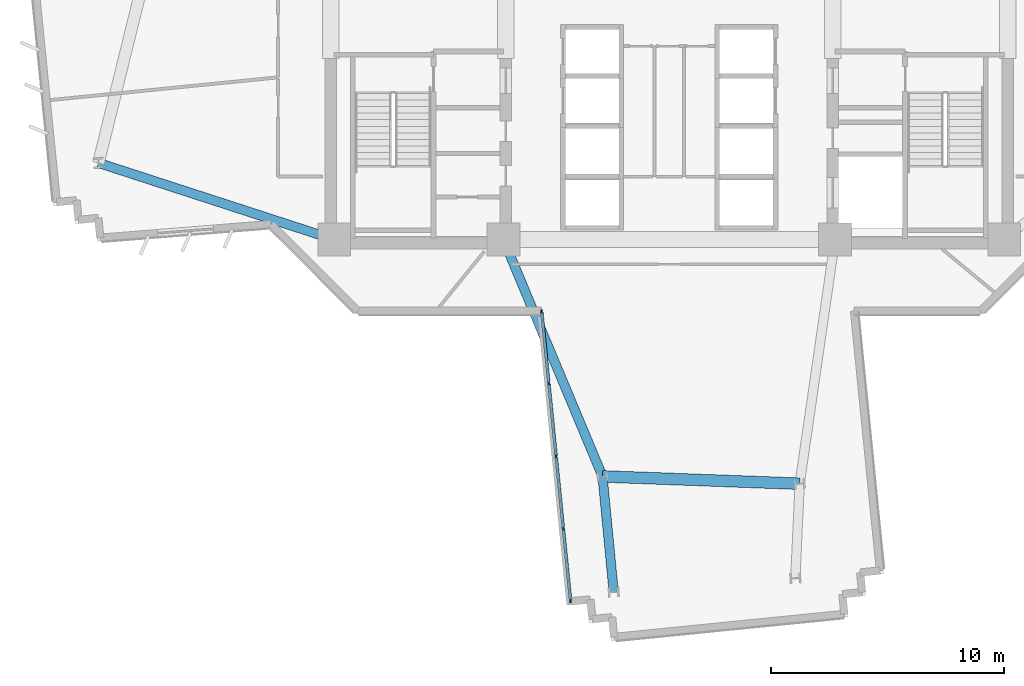
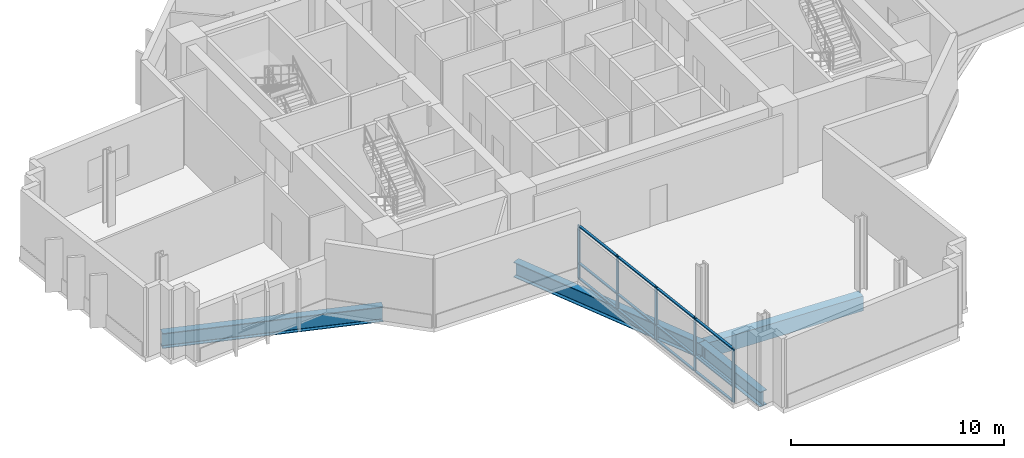
# One storey, part 2 of 14: 17 members, 4 beams, 1 element without a shape of its own.
"""IFC4 building model written with IfcOpenShell, lengths in metres."""

from ifc_helpers import new_model, si_unit, direction, frame, origin, origin_2d, place, context, subcontext, project, spatial, rectangle, i_section, extrude, source, transform, mapped, material, layer, layer_set, material_profile, profile_set, type_object, element, aggregate, save


model = new_model("IFC4")

# Units and contexts
model_context = context("Model", 3, precision=1e-05, world=origin(), true_north=direction((0.0, 1.0)))
body_context = subcontext(model_context, "Body", "Model", "MODEL_VIEW")
ifc_project = project(units=[si_unit("LENGTHUNIT", "METRE"), si_unit("AREAUNIT", "SQUARE_METRE"), si_unit("VOLUMEUNIT", "CUBIC_METRE"), si_unit("PLANEANGLEUNIT", "RADIAN"), si_unit("MASSUNIT", "GRAM", prefix="KILO")], contexts=[model_context])

# Site, building, storey
site_placement = place(None, origin())
site = spatial("IfcSite", under=ifc_project, at=site_placement, CompositionType="ELEMENT")
building_placement = place(site_placement, origin())
building = spatial("IfcBuilding", under=site, at=building_placement, Name="Zahravan Cultural Tower", CompositionType="ELEMENT")
storey_placement = place(building_placement, frame((0.0, 0.0, 100.5)))
storey = spatial("IfcBuildingStorey", under=building, at=storey_placement, Name="L22", CompositionType="ELEMENT", Elevation=100.5)

# Beams
ifc_material_1 = material(Name="Concrete C50/60", Category="concrete")
ifc_material_profile_1 = material_profile(ifc_material_1, rectangle(XDim=0.5, YDim=0.85009765625, at=origin_2d()), Name="RC500X850")
ifc_profile_set_1 = profile_set([ifc_material_profile_1], Name="Concrete C50/60")
beam_type_1 = type_object("IfcBeamType", Name="BM-SP-RC500X850", PredefinedType="SPANDREL", material=ifc_profile_set_1)
shared_shape_1 = source(origin(), body_context, "Body", "SweptSolid", [
    extrude(rectangle(XDim=0.5, YDim=0.85009765625, at=origin_2d()), origin(), (0.0, 0.0, 1.0), 8.4482421875),
])
beam_1_placement = place(storey_placement, frame((33.142578125, 7.653564453125, -0.675048828125), z_axis=(0.999318826256, -0.036903705643, 0.0), x_axis=(0.036903705643, 0.999318826256, 0.0)))
element("IfcBeam", 1, at=beam_1_placement, inside=storey, type_object=beam_type_1, Name="L22 Beam SP-L22-19", PredefinedType="SPANDREL", context=body_context, shape_type="MappedRepresentation", body=[
    mapped(shared_shape_1, transform((0.0, 0.0, 0.0), x_axis=(1.0, 0.0, 0.0), y_axis=(0.0, 1.0, 0.0), z_axis=(0.0, 0.0, 1.0), scale=1.0)),
])
ifc_material_2 = material(Name="Steel ASTM A992 Grade 50", Category="steel")
ifc_material_profile_2 = material_profile(ifc_material_2, i_section(OverallWidth=0.39990234375, OverallDepth=0.862060546875, WebThickness=0.019775390625, FlangeThickness=0.032470703125, FilletRadius=0.02001953125, at=origin_2d()), Name="W33X221")
ifc_profile_set_2 = profile_set([ifc_material_profile_2], Name="Steel ASTM A992 Grade 50")
beam_type_2 = type_object("IfcBeamType", Name="BM-G-W33X221", PredefinedType="BEAM", material=ifc_profile_set_2)
shared_shape_2 = source(origin(), body_context, "Body", "SweptSolid", [
    extrude(i_section(OverallWidth=0.39990234375, OverallDepth=0.862060546875, WebThickness=0.019775390625, FlangeThickness=0.032470703125, FilletRadius=0.02001953125, at=origin_2d()), origin(), (0.0, 0.0, 1.0), 10.615966796875),
])
beam_2_placement = place(storey_placement, frame((21.64990234375, 17.800048828125, -0.680908203125), z_axis=(-0.951063640083, 0.30899506875, 0.0), x_axis=(-0.30899506875, -0.951063640083, 0.0)))
element("IfcBeam", 2, at=beam_2_placement, inside=storey, type_object=beam_type_2, Name="L22 Beam BG-L22-07", PredefinedType="BEAM", context=body_context, shape_type="MappedRepresentation", body=[
    mapped(shared_shape_2, transform((0.0, 0.0, 0.0), x_axis=(1.0, 0.0, 0.0), y_axis=(0.0, 1.0, 0.0), z_axis=(0.0, 0.0, 1.0), scale=1.0)),
])
shared_shape_3 = source(origin(), body_context, "Body", "SweptSolid", [
    extrude(i_section(OverallWidth=0.39990234375, OverallDepth=0.862060546875, WebThickness=0.019775390625, FlangeThickness=0.032470703125, FilletRadius=0.02001953125, at=origin_2d()), origin(), (0.0, 0.0, 1.0), 10.997802734375),
])
beam_3_placement = place(storey_placement, frame((28.89990234375, 17.800048828125, -0.680908203125), z_axis=(0.385775211449, -0.922592806297, 0.0), x_axis=(0.922592806297, 0.385775211449, 0.0)))
element("IfcBeam", 3, at=beam_3_placement, inside=storey, type_object=beam_type_2, Name="L22 Beam BG-L22-08", PredefinedType="BEAM", context=body_context, shape_type="MappedRepresentation", body=[
    mapped(shared_shape_3, transform((0.0, 0.0, 0.0), x_axis=(1.0, 0.0, 0.0), y_axis=(0.0, 1.0, 0.0), z_axis=(0.0, 0.0, 1.0), scale=1.0)),
])
shared_shape_4 = source(origin(), body_context, "Body", "SweptSolid", [
    extrude(i_section(OverallWidth=0.39990234375, OverallDepth=0.862060546875, WebThickness=0.019775390625, FlangeThickness=0.032470703125, FilletRadius=0.02001953125, at=origin_2d()), origin(), (0.0, 0.0, 1.0), 4.973876953125),
])
beam_4_placement = place(storey_placement, frame((33.142578125, 7.653564453125, -0.680908203125), z_axis=(0.096154779131, -0.995366394073, 0.0), x_axis=(0.995366394073, 0.096154779131, 0.0)))
element("IfcBeam", 4, at=beam_4_placement, inside=storey, type_object=beam_type_2, Name="L22 Beam BG-L22-17", PredefinedType="BEAM", context=body_context, shape_type="MappedRepresentation", body=[
    mapped(shared_shape_4, transform((0.0, 0.0, 0.0), x_axis=(1.0, 0.0, 0.0), y_axis=(0.0, 1.0, 0.0), z_axis=(0.0, 0.0, 1.0), scale=1.0)),
])

# Curtain wall, members
ifc_material_3 = material(Name="Anodised bronze-aluminium mullion", Category="aluminium")
ifc_layer = layer(ifc_material_3, 0.1650390625)
ifc_layer_set = layer_set([ifc_layer], Name="Anodised bronze-aluminium mullion")
curtain_wall_type = type_object("IfcCurtainWallType", Name="CW-SYS-4", PredefinedType="USERDEFINED", material=ifc_layer_set)
curtain_wall_placement = place(storey_placement, origin())
curtain_wall = element("IfcCurtainWall", 5, at=curtain_wall_placement, inside=storey, type_object=curtain_wall_type, Name="L22 Recessed Curtain Wall CW-4.2", ObjectType="RECESSED GLAZING", PredefinedType="USERDEFINED")
ifc_material_profile_3 = material_profile(ifc_material_3, rectangle(XDim=0.06494140625, YDim=0.1650390625, at=origin_2d()), Name="AL-M65X165")
ifc_profile_set_3 = profile_set([ifc_material_profile_3], Name="Anodised bronze-aluminium mullion")
member_type_1 = type_object("IfcMemberType", Name="CWM-CW-4", PredefinedType="MULLION", material=ifc_profile_set_3)
shared_shape_5 = source(origin(), body_context, "Body", "SweptSolid", [
    extrude(rectangle(XDim=0.06494140625, YDim=0.1650390625, at=origin_2d()), origin(), (0.0, 0.0, 1.0), 3.070068359375),
])
member_1_placement = place(storey_placement, frame((31.769287109375, 2.330322265625, 0.0), z_axis=(0.0, 0.0, 1.0), x_axis=(-0.99505538579, -0.099321594883, 0.0)))
member_1 = element("IfcMember", 6, at=member_1_placement, type_object=member_type_1, Name="CW-4 mullion 1", PredefinedType="MULLION", context=body_context, shape_type="MappedRepresentation", body=[
    mapped(shared_shape_5, transform((0.0, 0.0, 0.0), x_axis=(1.0, 0.0, 0.0), y_axis=(0.0, 1.0, 0.0), z_axis=(0.0, 0.0, 1.0), scale=1.0)),
])
member_2_placement = place(storey_placement, frame((31.4619140625, 5.408447265625, 0.0), z_axis=(0.0, 0.0, 1.0), x_axis=(-0.99505538579, -0.099321594883, 0.0)))
member_2 = element("IfcMember", 7, at=member_2_placement, type_object=member_type_1, Name="CW-4 mullion 2", PredefinedType="MULLION", context=body_context, shape_type="MappedRepresentation", body=[
    mapped(shared_shape_5, transform((0.0, 0.0, 0.0), x_axis=(1.0, 0.0, 0.0), y_axis=(0.0, 1.0, 0.0), z_axis=(0.0, 0.0, 1.0), scale=1.0)),
])
member_3_placement = place(storey_placement, frame((31.151611328125, 8.51904296875, 0.0), z_axis=(0.0, 0.0, 1.0), x_axis=(-0.99505538579, -0.099321594883, 0.0)))
member_3 = element("IfcMember", 8, at=member_3_placement, type_object=member_type_1, Name="CW-4 mullion 3", PredefinedType="MULLION", context=body_context, shape_type="MappedRepresentation", body=[
    mapped(shared_shape_5, transform((0.0, 0.0, 0.0), x_axis=(1.0, 0.0, 0.0), y_axis=(0.0, 1.0, 0.0), z_axis=(0.0, 0.0, 1.0), scale=1.0)),
])
member_4_placement = place(storey_placement, frame((30.841064453125, 11.62939453125, 0.0), z_axis=(0.0, 0.0, 1.0), x_axis=(-0.99505538579, -0.099321594883, 0.0)))
member_4 = element("IfcMember", 9, at=member_4_placement, type_object=member_type_1, Name="CW-4 mullion 4", PredefinedType="MULLION", context=body_context, shape_type="MappedRepresentation", body=[
    mapped(shared_shape_5, transform((0.0, 0.0, 0.0), x_axis=(1.0, 0.0, 0.0), y_axis=(0.0, 1.0, 0.0), z_axis=(0.0, 0.0, 1.0), scale=1.0)),
])
member_5_placement = place(storey_placement, frame((30.533935546875, 14.707763671875, 0.0), z_axis=(0.0, 0.0, 1.0), x_axis=(-0.99505538579, -0.099321594883, 0.0)))
member_5 = element("IfcMember", 10, at=member_5_placement, type_object=member_type_1, Name="CW-4 mullion 5", PredefinedType="MULLION", context=body_context, shape_type="MappedRepresentation", body=[
    mapped(shared_shape_5, transform((0.0, 0.0, 0.0), x_axis=(1.0, 0.0, 0.0), y_axis=(0.0, 1.0, 0.0), z_axis=(0.0, 0.0, 1.0), scale=1.0)),
])
ifc_material_profile_4 = material_profile(ifc_material_3, rectangle(XDim=0.1298828125, YDim=0.06494140625, at=origin_2d()), Name="AL-T65X130")
ifc_profile_set_4 = profile_set([ifc_material_profile_4], Name="Anodised bronze-aluminium mullion")
member_type_2 = type_object("IfcMemberType", Name="CWT-CW-4", PredefinedType="USERDEFINED", material=ifc_profile_set_4)
shared_shape_6 = source(origin(), body_context, "Body", "SweptSolid", [
    extrude(rectangle(XDim=0.1298828125, YDim=0.06494140625, at=origin_2d()), origin(), (0.0, 0.0, 1.0), 3.0283203125),
])
member_6_placement = place(storey_placement, frame((31.76611328125, 2.36279296875, 0.032470703125), z_axis=(-0.099320134078, 0.995055531599, 0.0), x_axis=(-0.995055531599, -0.099320134078, 0.0)))
member_6 = element("IfcMember", 11, at=member_6_placement, type_object=member_type_2, Name="CW-4 transom 1.1", ObjectType="TRANSOM", PredefinedType="USERDEFINED", context=body_context, shape_type="MappedRepresentation", body=[
    mapped(shared_shape_6, transform((0.0, 0.0, 0.0), x_axis=(1.0, 0.0, 0.0), y_axis=(0.0, 1.0, 0.0), z_axis=(0.0, 0.0, 1.0), scale=1.0)),
])
member_7_placement = place(storey_placement, frame((31.76611328125, 2.36279296875, 0.89990234375), z_axis=(-0.099320134078, 0.995055531599, 0.0), x_axis=(-0.995055531599, -0.099320134078, 0.0)))
member_7 = element("IfcMember", 12, at=member_7_placement, type_object=member_type_2, Name="CW-4 transom 1.2", ObjectType="TRANSOM", PredefinedType="USERDEFINED", context=body_context, shape_type="MappedRepresentation", body=[
    mapped(shared_shape_6, transform((0.0, 0.0, 0.0), x_axis=(1.0, 0.0, 0.0), y_axis=(0.0, 1.0, 0.0), z_axis=(0.0, 0.0, 1.0), scale=1.0)),
])
member_8_placement = place(storey_placement, frame((31.76611328125, 2.36279296875, 3.03759765625), z_axis=(-0.099320134078, 0.995055531599, 0.0), x_axis=(-0.995055531599, -0.099320134078, 0.0)))
member_8 = element("IfcMember", 13, at=member_8_placement, type_object=member_type_2, Name="CW-4 transom 1.3", ObjectType="TRANSOM", PredefinedType="USERDEFINED", context=body_context, shape_type="MappedRepresentation", body=[
    mapped(shared_shape_6, transform((0.0, 0.0, 0.0), x_axis=(1.0, 0.0, 0.0), y_axis=(0.0, 1.0, 0.0), z_axis=(0.0, 0.0, 1.0), scale=1.0)),
])
member_9_placement = place(storey_placement, frame((30.837890625, 11.661865234375, 0.032470703125), z_axis=(-0.099320134078, 0.995055531599, 0.0), x_axis=(-0.995055531599, -0.099320134078, 0.0)))
member_9 = element("IfcMember", 14, at=member_9_placement, type_object=member_type_2, Name="CW-4 transom 4.1", ObjectType="TRANSOM", PredefinedType="USERDEFINED", context=body_context, shape_type="MappedRepresentation", body=[
    mapped(shared_shape_6, transform((0.0, 0.0, 0.0), x_axis=(1.0, 0.0, 0.0), y_axis=(0.0, 1.0, 0.0), z_axis=(0.0, 0.0, 1.0), scale=1.0)),
])
member_10_placement = place(storey_placement, frame((30.837890625, 11.661865234375, 0.89990234375), z_axis=(-0.099320134078, 0.995055531599, 0.0), x_axis=(-0.995055531599, -0.099320134078, 0.0)))
member_10 = element("IfcMember", 15, at=member_10_placement, type_object=member_type_2, Name="CW-4 transom 4.2", ObjectType="TRANSOM", PredefinedType="USERDEFINED", context=body_context, shape_type="MappedRepresentation", body=[
    mapped(shared_shape_6, transform((0.0, 0.0, 0.0), x_axis=(1.0, 0.0, 0.0), y_axis=(0.0, 1.0, 0.0), z_axis=(0.0, 0.0, 1.0), scale=1.0)),
])
member_11_placement = place(storey_placement, frame((30.837890625, 11.661865234375, 3.03759765625), z_axis=(-0.099320134078, 0.995055531599, 0.0), x_axis=(-0.995055531599, -0.099320134078, 0.0)))
member_11 = element("IfcMember", 16, at=member_11_placement, type_object=member_type_2, Name="CW-4 transom 4.3", ObjectType="TRANSOM", PredefinedType="USERDEFINED", context=body_context, shape_type="MappedRepresentation", body=[
    mapped(shared_shape_6, transform((0.0, 0.0, 0.0), x_axis=(1.0, 0.0, 0.0), y_axis=(0.0, 1.0, 0.0), z_axis=(0.0, 0.0, 1.0), scale=1.0)),
])
shared_shape_7 = source(origin(), body_context, "Body", "SweptSolid", [
    extrude(rectangle(XDim=0.1298828125, YDim=0.06494140625, at=origin_2d()), origin(), (0.0, 0.0, 1.0), 3.060791015625),
])
member_12_placement = place(storey_placement, frame((31.458740234375, 5.44091796875, 0.032470703125), z_axis=(-0.099306281217, 0.995056914207, 0.0), x_axis=(-0.995056914207, -0.099306281217, 0.0)))
member_12 = element("IfcMember", 17, at=member_12_placement, type_object=member_type_2, Name="CW-4 transom 2.1", ObjectType="TRANSOM", PredefinedType="USERDEFINED", context=body_context, shape_type="MappedRepresentation", body=[
    mapped(shared_shape_7, transform((0.0, 0.0, 0.0), x_axis=(1.0, 0.0, 0.0), y_axis=(0.0, 1.0, 0.0), z_axis=(0.0, 0.0, 1.0), scale=1.0)),
])
member_13_placement = place(storey_placement, frame((31.458740234375, 5.44091796875, 0.89990234375), z_axis=(-0.099306281217, 0.995056914207, 0.0), x_axis=(-0.995056914207, -0.099306281217, 0.0)))
member_13 = element("IfcMember", 18, at=member_13_placement, type_object=member_type_2, Name="CW-4 transom 2.2", ObjectType="TRANSOM", PredefinedType="USERDEFINED", context=body_context, shape_type="MappedRepresentation", body=[
    mapped(shared_shape_7, transform((0.0, 0.0, 0.0), x_axis=(1.0, 0.0, 0.0), y_axis=(0.0, 1.0, 0.0), z_axis=(0.0, 0.0, 1.0), scale=1.0)),
])
member_14_placement = place(storey_placement, frame((31.458740234375, 5.44091796875, 3.03759765625), z_axis=(-0.099306281217, 0.995056914207, 0.0), x_axis=(-0.995056914207, -0.099306281217, 0.0)))
member_14 = element("IfcMember", 19, at=member_14_placement, type_object=member_type_2, Name="CW-4 transom 2.3", ObjectType="TRANSOM", PredefinedType="USERDEFINED", context=body_context, shape_type="MappedRepresentation", body=[
    mapped(shared_shape_7, transform((0.0, 0.0, 0.0), x_axis=(1.0, 0.0, 0.0), y_axis=(0.0, 1.0, 0.0), z_axis=(0.0, 0.0, 1.0), scale=1.0)),
])
shared_shape_8 = source(origin(), body_context, "Body", "SweptSolid", [
    extrude(rectangle(XDim=0.1298828125, YDim=0.06494140625, at=origin_2d()), origin(), (0.0, 0.0, 1.0), 3.06103515625),
])
member_15_placement = place(storey_placement, frame((31.1484375, 8.55126953125, 0.032470703125), z_axis=(-0.099377370307, 0.995049816979, 0.0), x_axis=(-0.995049816979, -0.099377370307, 0.0)))
member_15 = element("IfcMember", 20, at=member_15_placement, type_object=member_type_2, Name="CW-4 transom 3.1", ObjectType="TRANSOM", PredefinedType="USERDEFINED", context=body_context, shape_type="MappedRepresentation", body=[
    mapped(shared_shape_8, transform((0.0, 0.0, 0.0), x_axis=(1.0, 0.0, 0.0), y_axis=(0.0, 1.0, 0.0), z_axis=(0.0, 0.0, 1.0), scale=1.0)),
])
member_16_placement = place(storey_placement, frame((31.1484375, 8.55126953125, 0.89990234375), z_axis=(-0.099377370307, 0.995049816979, 0.0), x_axis=(-0.995049816979, -0.099377370307, 0.0)))
member_16 = element("IfcMember", 21, at=member_16_placement, type_object=member_type_2, Name="CW-4 transom 3.2", ObjectType="TRANSOM", PredefinedType="USERDEFINED", context=body_context, shape_type="MappedRepresentation", body=[
    mapped(shared_shape_8, transform((0.0, 0.0, 0.0), x_axis=(1.0, 0.0, 0.0), y_axis=(0.0, 1.0, 0.0), z_axis=(0.0, 0.0, 1.0), scale=1.0)),
])
member_17_placement = place(storey_placement, frame((31.1484375, 8.55126953125, 3.03759765625), z_axis=(-0.099377370307, 0.995049816979, 0.0), x_axis=(-0.995049816979, -0.099377370307, 0.0)))
member_17 = element("IfcMember", 22, at=member_17_placement, type_object=member_type_2, Name="CW-4 transom 3.3", ObjectType="TRANSOM", PredefinedType="USERDEFINED", context=body_context, shape_type="MappedRepresentation", body=[
    mapped(shared_shape_8, transform((0.0, 0.0, 0.0), x_axis=(1.0, 0.0, 0.0), y_axis=(0.0, 1.0, 0.0), z_axis=(0.0, 0.0, 1.0), scale=1.0)),
])
aggregate(curtain_wall, [member_1, member_2, member_3, member_4, member_5, member_6, member_7, member_8, member_12, member_13, member_14, member_15, member_16, member_17, member_9, member_10, member_11])

save(model, "model.ifc")
